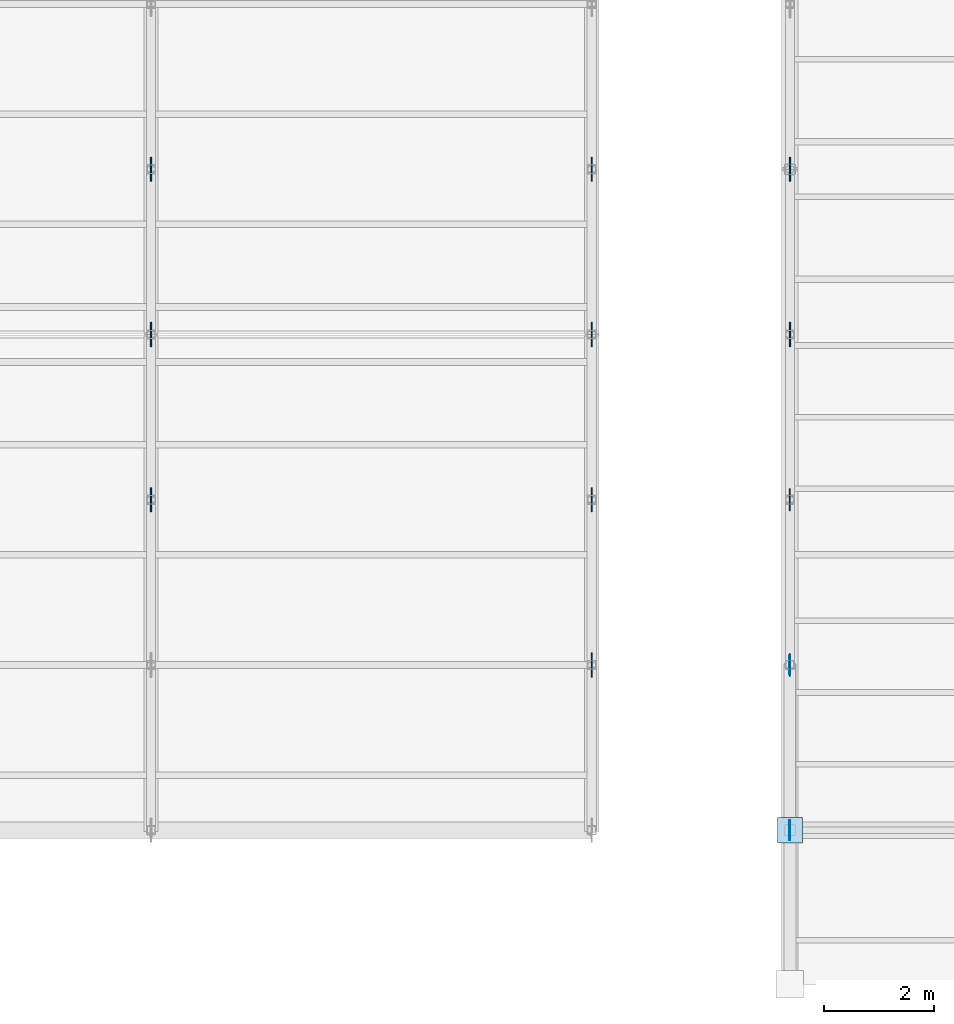
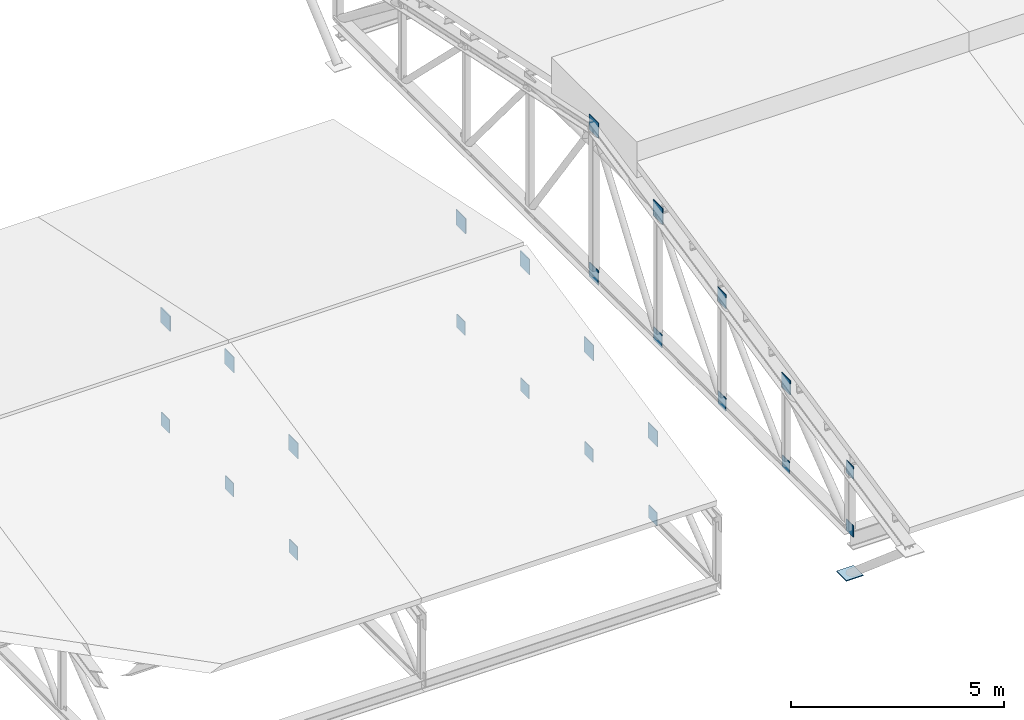
# One storey, part 33 of 43: 25 plates.
"""IFC4 building model written with IfcOpenShell, lengths in metres."""

from ifc_helpers import new_model, si_unit, direction, frame, origin, origin_2d, place, context, subcontext, project, spatial, rectangle, extrude, material, layer, layer_set, type_object, element, save


model = new_model("IFC4")

# Units and contexts
model_context = context("Model", 3, precision=1e-05, world=origin(), true_north=direction((0.0, 1.0)))
body_context = subcontext(model_context, "Body", "Model", "MODEL_VIEW")
ifc_project = project(units=[si_unit("LENGTHUNIT", "METRE"), si_unit("AREAUNIT", "SQUARE_METRE"), si_unit("VOLUMEUNIT", "CUBIC_METRE"), si_unit("PLANEANGLEUNIT", "RADIAN"), si_unit("MASSUNIT", "GRAM", prefix="KILO")], contexts=[model_context])

# Site, building, storey
site_placement = place(None, origin())
site = spatial("IfcSite", under=ifc_project, at=site_placement, CompositionType="ELEMENT")
building_placement = place(site_placement, origin())
building = spatial("IfcBuilding", under=site, at=building_placement, Name="Serraforn Aerial Cableway Station", CompositionType="ELEMENT")
storey_placement = place(building_placement, frame((0.0, 0.0, 18.300048828125)))
storey = spatial("IfcBuildingStorey", under=building, at=storey_placement, Name="RF", CompositionType="ELEMENT", Elevation=18.300048828125)

# Plates
ifc_material = material(Name="Steel S355J2", Category="steel")
ifc_layer_1 = layer(ifc_material, 0.01708984375)
ifc_layer_set_1 = layer_set([ifc_layer_1], Name="Steel S355J2")
plate_type_1 = type_object("IfcPlateType", Name="PLT-CAP-17", PredefinedType="USERDEFINED", material=ifc_layer_set_1)
plate_1_placement = place(storey_placement, frame((27.60009765625, 18.0, -1.51513671875), z_axis=(0.0, 0.0, 1.0), x_axis=(1.0, 0.0, 0.0)))
element("IfcPlate", 1, at=plate_1_placement, inside=storey, type_object=plate_type_1, Name="Truss Bottom Node Cap TR-01-1", ObjectType="CAP PLATE", PredefinedType="USERDEFINED", context=body_context, shape_type="SweptSolid", body=[
    extrude(rectangle(XDim=0.01708984375, YDim=0.330078125, at=origin_2d()), origin(), (0.0, 0.0, 1.0), 0.330078125),
])
ifc_layer_2 = layer(ifc_material, 0.01806640625)
ifc_layer_set_2 = layer_set([ifc_layer_2], Name="Steel S355J2")
plate_type_2 = type_object("IfcPlateType", Name="PLT-CAP-18", PredefinedType="USERDEFINED", material=ifc_layer_set_2)
plate_2_placement = place(storey_placement, frame((27.60009765625, 21.0, -1.52001953125), z_axis=(0.0, 0.0, 1.0), x_axis=(1.0, 0.0, 0.0)))
element("IfcPlate", 2, at=plate_2_placement, inside=storey, type_object=plate_type_2, Name="Truss Bottom Node Cap TR-01-2", ObjectType="CAP PLATE", PredefinedType="USERDEFINED", context=body_context, shape_type="SweptSolid", body=[
    extrude(rectangle(XDim=0.01806640625, YDim=0.340087890625, at=origin_2d()), origin(), (0.0, 0.0, 1.0), 0.340087890625),
])
ifc_layer_3 = layer(ifc_material, 0.01904296875)
ifc_layer_set_3 = layer_set([ifc_layer_3], Name="Steel S355J2")
plate_type_3 = type_object("IfcPlateType", Name="PLT-CAP-19", PredefinedType="USERDEFINED", material=ifc_layer_set_3)
plate_3_placement = place(storey_placement, frame((27.60009765625, 24.0, -1.53515625), z_axis=(0.0, 0.0, 1.0), x_axis=(1.0, 0.0, 0.0)))
element("IfcPlate", 3, at=plate_3_placement, inside=storey, type_object=plate_type_3, Name="Truss Bottom Node Cap TR-01-3", ObjectType="CAP PLATE", PredefinedType="USERDEFINED", context=body_context, shape_type="SweptSolid", body=[
    extrude(rectangle(XDim=0.01904296875, YDim=0.3701171875, at=origin_2d()), origin(), (0.0, 0.0, 1.0), 0.3701171875),
])
ifc_layer_4 = layer(ifc_material, 0.02001953125)
ifc_layer_set_4 = layer_set([ifc_layer_4], Name="Steel S355J2")
plate_type_4 = type_object("IfcPlateType", Name="PLT-CAP-20", PredefinedType="USERDEFINED", material=ifc_layer_set_4)
for number, where, z_axis, x_axis, name in (
    (4, (27.60009765625, 27.0, -1.5400390625), (0.0, 0.0, 1.0), (1.0, 0.0, 0.0), "Truss Bottom Node Cap TR-01-4"),
    (5, (16.0, 24.0, -1.739990234375), (0.0, 0.0, 1.0), (1.0, 0.0, 0.0), "Belvedere Truss Bottom Node WT-03-3"),
    (6, (16.0, 27.0, -1.739990234375), (0.0, 0.0, 1.0), (1.0, 0.0, 0.0), "Belvedere Truss Bottom Node WT-03-4"),
    (7, (16.0, 30.0, -1.739990234375), (0.0, 0.0, 1.0), (1.0, 0.0, 0.0), "Belvedere Truss Bottom Node WT-03-5"),
    (8, (24.0, 21.0, -1.739990234375), (0.0, 0.0, 1.0), (1.0, 0.0, 0.0), "Belvedere Truss Bottom Node WT-04-2"),
    (9, (24.0, 24.0, -1.739990234375), (0.0, 0.0, 1.0), (1.0, 0.0, 0.0), "Belvedere Truss Bottom Node WT-04-3"),
    (10, (24.0, 27.0, -1.739990234375), (0.0, 0.0, 1.0), (1.0, 0.0, 0.0), "Belvedere Truss Bottom Node WT-04-4"),
    (11, (24.0, 30.0, -1.739990234375), (0.0, 0.0, 1.0), (1.0, 0.0, 0.0), "Belvedere Truss Bottom Node WT-04-5"),
):
    element("IfcPlate", number, at=place(storey_placement, frame(where, z_axis=z_axis, x_axis=x_axis)), inside=storey, type_object=plate_type_4, Name=name, ObjectType="CAP PLATE", PredefinedType="USERDEFINED", context=body_context, shape_type="SweptSolid", body=[
        extrude(rectangle(XDim=0.02001953125, YDim=0.3798828125, at=origin_2d()), origin(), (0.0, 0.0, 1.0), 0.3798828125),
    ])
ifc_layer_5 = layer(ifc_material, 0.02197265625)
ifc_layer_set_5 = layer_set([ifc_layer_5], Name="Steel S355J2")
plate_type_5 = type_object("IfcPlateType", Name="PLT-CAP-22", PredefinedType="USERDEFINED", material=ifc_layer_set_5)
plate_4_placement = place(storey_placement, frame((27.60009765625, 30.0, -1.56005859375), z_axis=(0.0, 0.0, 1.0), x_axis=(1.0, 0.0, 0.0)))
element("IfcPlate", 12, at=plate_4_placement, inside=storey, type_object=plate_type_5, Name="Truss Bottom Node Cap TR-01-5", ObjectType="CAP PLATE", PredefinedType="USERDEFINED", context=body_context, shape_type="SweptSolid", body=[
    extrude(rectangle(XDim=0.02197265625, YDim=0.419921875, at=origin_2d()), origin(), (0.0, 0.0, 1.0), 0.419921875),
])
ifc_layer_6 = layer(ifc_material, 0.02392578125)
ifc_layer_set_6 = layer_set([ifc_layer_6], Name="Steel S355J2")
plate_type_6 = type_object("IfcPlateType", Name="PLT-CAP-24", PredefinedType="USERDEFINED", material=ifc_layer_set_6)
plate_5_placement = place(storey_placement, frame((27.60009765625, 18.0, -2.662109375), z_axis=(0.0, 0.0, 1.0), x_axis=(1.0, 0.0, 0.0)))
element("IfcPlate", 13, at=plate_5_placement, inside=storey, type_object=plate_type_6, Name="Truss Eave Column Gusset TR-01-ES", ObjectType="CAP PLATE", PredefinedType="USERDEFINED", context=body_context, shape_type="SweptSolid", body=[
    extrude(rectangle(XDim=0.4599609375, YDim=0.4599609375, at=origin_2d()), origin(), (0.0, 0.0, 1.0), 0.02392578125),
])
ifc_layer_7 = layer(ifc_material, 0.01806640625)
ifc_layer_set_7 = layer_set([ifc_layer_7], Name="Steel S355J2")
plate_type_7 = type_object("IfcPlateType", Name="PLT-GUS-18", PredefinedType="USERDEFINED", material=ifc_layer_set_7)
plate_6_placement = place(storey_placement, frame((27.60009765625, 18.0, 0.14501953125), z_axis=(0.0, 0.0, 1.0), x_axis=(1.0, 0.0, 0.0)))
element("IfcPlate", 14, at=plate_6_placement, inside=storey, type_object=plate_type_7, Name="Truss Top Node Gusset TR-01-1", ObjectType="GUSSET PLATE", PredefinedType="USERDEFINED", context=body_context, shape_type="SweptSolid", body=[
    extrude(rectangle(XDim=0.01806640625, YDim=0.360107421875, at=origin_2d()), origin(), (0.0, 0.0, 1.0), 0.360107421875),
])
ifc_layer_8 = layer(ifc_material, 0.01904296875)
ifc_layer_set_8 = layer_set([ifc_layer_8], Name="Steel S355J2")
plate_type_8 = type_object("IfcPlateType", Name="PLT-GUS-19", PredefinedType="USERDEFINED", material=ifc_layer_set_8)
plate_7_placement = place(storey_placement, frame((27.60009765625, 21.0, 0.7578125), z_axis=(0.0, 0.0, 1.0), x_axis=(1.0, 0.0, 0.0)))
element("IfcPlate", 15, at=plate_7_placement, inside=storey, type_object=plate_type_8, Name="Truss Top Node Gusset TR-01-2", ObjectType="GUSSET PLATE", PredefinedType="USERDEFINED", context=body_context, shape_type="SweptSolid", body=[
    extrude(rectangle(XDim=0.01904296875, YDim=0.409912109375, at=origin_2d()), origin(), (0.0, 0.0, 1.0), 0.409912109375),
])
ifc_layer_9 = layer(ifc_material, 0.02001953125)
ifc_layer_set_9 = layer_set([ifc_layer_9], Name="Steel S355J2")
plate_type_9 = type_object("IfcPlateType", Name="PLT-GUS-20", PredefinedType="USERDEFINED", material=ifc_layer_set_9)
plate_8_placement = place(storey_placement, frame((27.60009765625, 24.0, 1.400634765625), z_axis=(0.0, 0.0, 1.0), x_axis=(1.0, 0.0, 0.0)))
element("IfcPlate", 16, at=plate_8_placement, inside=storey, type_object=plate_type_9, Name="Truss Top Node Gusset TR-01-3", ObjectType="GUSSET PLATE", PredefinedType="USERDEFINED", context=body_context, shape_type="SweptSolid", body=[
    extrude(rectangle(XDim=0.02001953125, YDim=0.39990234375, at=origin_2d()), origin(), (0.0, 0.0, 1.0), 0.39990234375),
])
ifc_layer_10 = layer(ifc_material, 0.02099609375)
ifc_layer_set_10 = layer_set([ifc_layer_10], Name="Steel S355J2")
plate_type_10 = type_object("IfcPlateType", Name="PLT-GUS-21", PredefinedType="USERDEFINED", material=ifc_layer_set_10)
plate_9_placement = place(storey_placement, frame((27.60009765625, 27.0, 2.01318359375), z_axis=(0.0, 0.0, 1.0), x_axis=(1.0, 0.0, 0.0)))
element("IfcPlate", 17, at=plate_9_placement, inside=storey, type_object=plate_type_10, Name="Truss Top Node Gusset TR-01-4", ObjectType="GUSSET PLATE", PredefinedType="USERDEFINED", context=body_context, shape_type="SweptSolid", body=[
    extrude(rectangle(XDim=0.02099609375, YDim=0.449951171875, at=origin_2d()), origin(), (0.0, 0.0, 1.0), 0.449951171875),
])
ifc_layer_11 = layer(ifc_material, 0.02197265625)
ifc_layer_set_11 = layer_set([ifc_layer_11], Name="Steel S355J2")
plate_type_11 = type_object("IfcPlateType", Name="PLT-GUS-22", PredefinedType="USERDEFINED", material=ifc_layer_set_11)
for number, where, z_axis, x_axis, name in (
    (18, (27.60009765625, 30.0, 2.656005859375), (0.0, 0.0, 1.0), (1.0, 0.0, 0.0), "Truss Top Node Gusset TR-01-5"),
    (19, (16.0, 24.0, 1.18408203125), (0.0, 0.0, 1.0), (1.0, 0.0, 0.0), "Belvedere Truss Top Node WT-03-3"),
    (20, (16.0, 27.0, 1.82177734375), (0.0, 0.0, 1.0), (1.0, 0.0, 0.0), "Belvedere Truss Top Node WT-03-4"),
    (21, (16.0, 30.0, 1.18408203125), (0.0, 0.0, 1.0), (1.0, 0.0, 0.0), "Belvedere Truss Top Node WT-03-5"),
    (22, (24.0, 21.0, 0.546630859375), (0.0, 0.0, 1.0), (1.0, 0.0, 0.0), "Belvedere Truss Top Node WT-04-2"),
    (23, (24.0, 24.0, 1.18408203125), (0.0, 0.0, 1.0), (1.0, 0.0, 0.0), "Belvedere Truss Top Node WT-04-3"),
    (24, (24.0, 27.0, 1.82177734375), (0.0, 0.0, 1.0), (1.0, 0.0, 0.0), "Belvedere Truss Top Node WT-04-4"),
    (25, (24.0, 30.0, 1.18408203125), (0.0, 0.0, 1.0), (1.0, 0.0, 0.0), "Belvedere Truss Top Node WT-04-5"),
):
    element("IfcPlate", number, at=place(storey_placement, frame(where, z_axis=z_axis, x_axis=x_axis)), inside=storey, type_object=plate_type_11, Name=name, ObjectType="GUSSET PLATE", PredefinedType="USERDEFINED", context=body_context, shape_type="SweptSolid", body=[
        extrude(rectangle(XDim=0.02197265625, YDim=0.43994140625, at=origin_2d()), origin(), (0.0, 0.0, 1.0), 0.43994140625),
    ])

save(model, "model.ifc")
